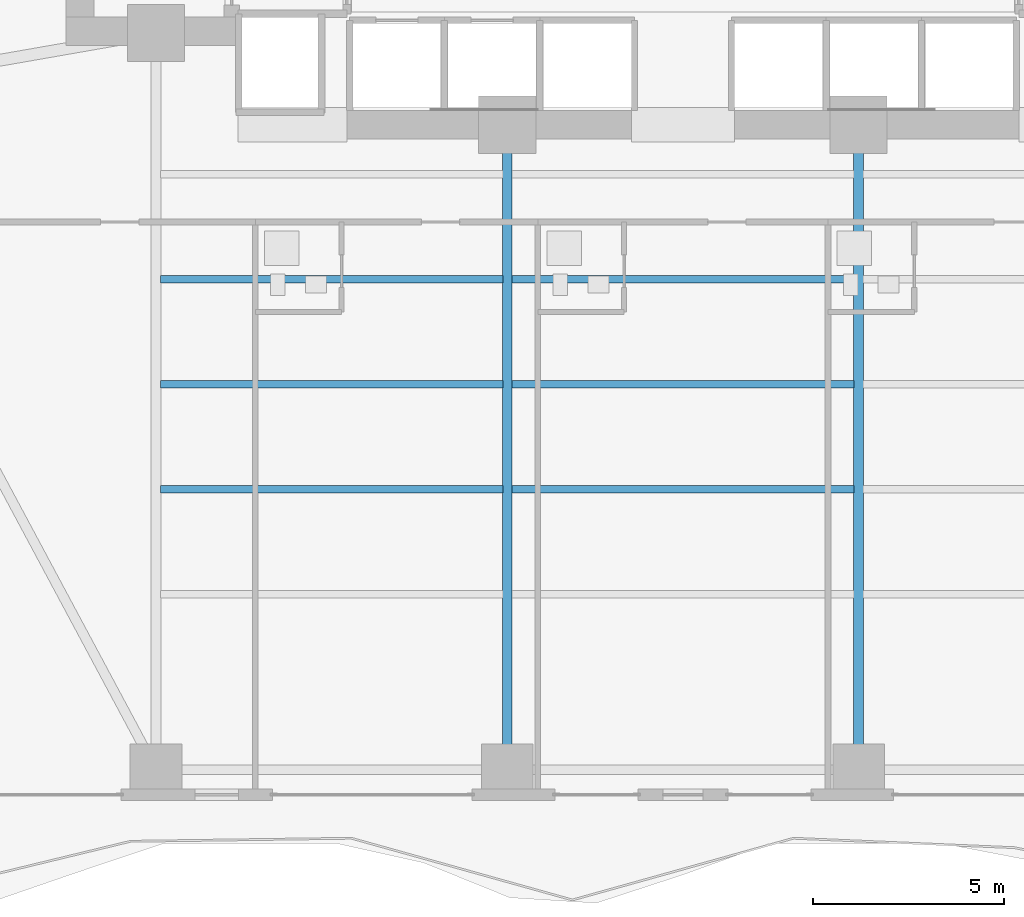
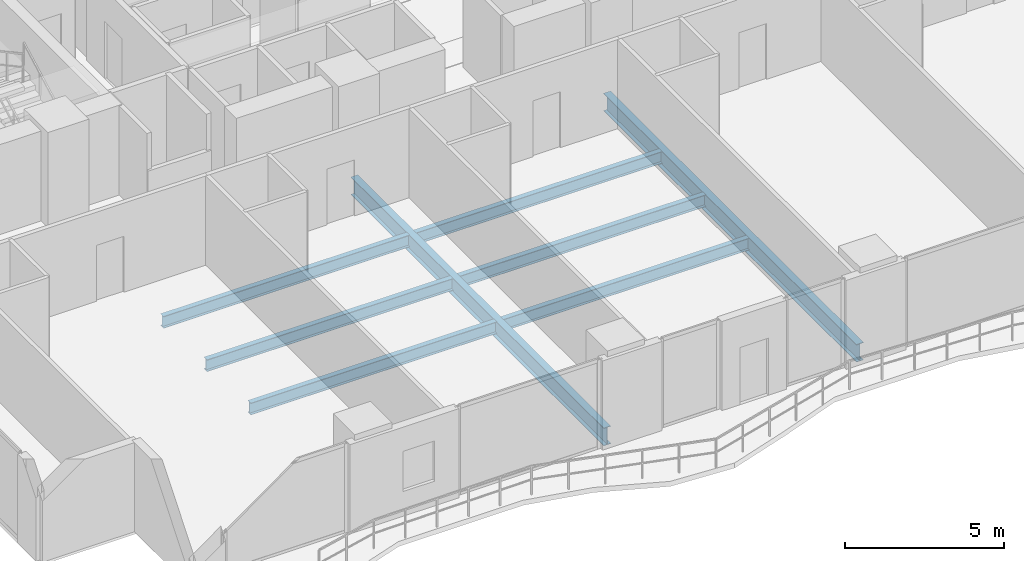
# One storey, part 6 of 27: 8 beams.
"""IFC4 building model written with IfcOpenShell, lengths in metres."""

from ifc_helpers import new_model, si_unit, direction, frame, origin, origin_2d, place, context, subcontext, project, spatial, i_section, extrude, material, material_profile, profile_set, type_object, element, save


model = new_model("IFC4")

# Units and contexts
model_context = context("Model", 3, precision=1e-05, world=origin(), true_north=direction((0.0, 1.0)))
body_context = subcontext(model_context, "Body", "Model", "MODEL_VIEW")
ifc_project = project(units=[si_unit("LENGTHUNIT", "METRE"), si_unit("AREAUNIT", "SQUARE_METRE"), si_unit("VOLUMEUNIT", "CUBIC_METRE"), si_unit("PLANEANGLEUNIT", "RADIAN"), si_unit("MASSUNIT", "GRAM", prefix="KILO")], contexts=[model_context])

# Site, building, storey
site_placement = place(None, origin())
site = spatial("IfcSite", under=ifc_project, at=site_placement, CompositionType="ELEMENT")
building_placement = place(site_placement, origin())
building = spatial("IfcBuilding", under=site, at=building_placement, Name="Zuhayl Quay Hotel", CompositionType="ELEMENT")
storey_placement = place(building_placement, frame((0.0, 0.0, 102.949951171875)))
storey = spatial("IfcBuildingStorey", under=building, at=storey_placement, Name="L25", CompositionType="ELEMENT", Elevation=102.949951171875)

# Beams
ifc_material = material(Name="Steel ASTM A992 Grade 50", Category="steel")
ifc_material_profile_1 = material_profile(ifc_material, i_section(OverallWidth=0.25390625, OverallDepth=0.68310546875, WebThickness=0.012451171875, FlangeThickness=0.018798828125, at=origin_2d()), Name="W27X94")
ifc_profile_set_1 = profile_set([ifc_material_profile_1], Name="Steel ASTM A992 Grade 50")
beam_type_1 = type_object("IfcBeamType", Name="BM_B2_W27X94", PredefinedType="BEAM", material=ifc_profile_set_1)
for number, where, z_axis, x_axis, name in (
    (1, (-4.60009765625, -14.25, -0.5615234375), (0.0, 1.0, 0.0), (-1.0, 0.0, 0.0), "L25 Floor Beam FG_S_L25_2"),
    (2, (4.60009765625, -14.25, -0.5615234375), (0.0, 1.0, 0.0), (-1.0, 0.0, 0.0), "L25 Floor Beam FG_S_L25_3"),
):
    element("IfcBeam", number, at=place(storey_placement, frame(where, z_axis=z_axis, x_axis=x_axis)), inside=storey, type_object=beam_type_1, Name=name, PredefinedType="BEAM", context=body_context, shape_type="SweptSolid", body=[
        extrude(i_section(OverallWidth=0.25390625, OverallDepth=0.68310546875, WebThickness=0.012451171875, FlangeThickness=0.018798828125, at=origin_2d()), origin(), (0.0, 0.0, 1.0), 15.949951171875),
    ])
ifc_material_profile_2 = material_profile(ifc_material, i_section(OverallWidth=0.18994140625, OverallDepth=0.45703125, WebThickness=0.009033203125, FlangeThickness=0.014404296875, at=origin_2d()), Name="W18X50")
ifc_profile_set_2 = profile_set([ifc_material_profile_2], Name="Steel ASTM A992 Grade 50")
beam_type_2 = type_object("IfcBeamType", Name="BM_J2_W18X50", PredefinedType="JOIST", material=ifc_profile_set_2)
for number, where, z_axis, x_axis, name in (
    (3, (-13.680908203125, -7.39990234375, -0.448486328125), (1.0, 0.0, 0.0), (0.0, 1.0, 0.0), "L25 Floor Beam FJ_L25_6_1"),
    (4, (-4.48095703125, -7.39990234375, -0.448486328125), (1.0, 0.0, 0.0), (0.0, 1.0, 0.0), "L25 Floor Beam FJ_L25_6_2"),
    (5, (-13.680908203125, -4.64990234375, -0.448486328125), (1.0, 0.0, 0.0), (0.0, 1.0, 0.0), "L25 Floor Beam FJ_L25_7_1"),
    (6, (-4.48095703125, -4.64990234375, -0.448486328125), (1.0, 0.0, 0.0), (0.0, 1.0, 0.0), "L25 Floor Beam FJ_L25_7_2"),
    (7, (-13.680908203125, -1.89990234375, -0.448486328125), (1.0, 0.0, 0.0), (0.0, 1.0, 0.0), "L25 Floor Beam FJ_L25_8_1"),
    (8, (-4.48095703125, -1.89990234375, -0.448486328125), (1.0, 0.0, 0.0), (0.0, 1.0, 0.0), "L25 Floor Beam FJ_L25_8_2"),
):
    element("IfcBeam", number, at=place(storey_placement, frame(where, z_axis=z_axis, x_axis=x_axis)), inside=storey, type_object=beam_type_2, Name=name, PredefinedType="JOIST", context=body_context, shape_type="SweptSolid", body=[
        extrude(i_section(OverallWidth=0.18994140625, OverallDepth=0.45703125, WebThickness=0.009033203125, FlangeThickness=0.014404296875, at=origin_2d()), origin(), (0.0, 0.0, 1.0), 8.9619140625),
    ])

save(model, "model.ifc")
